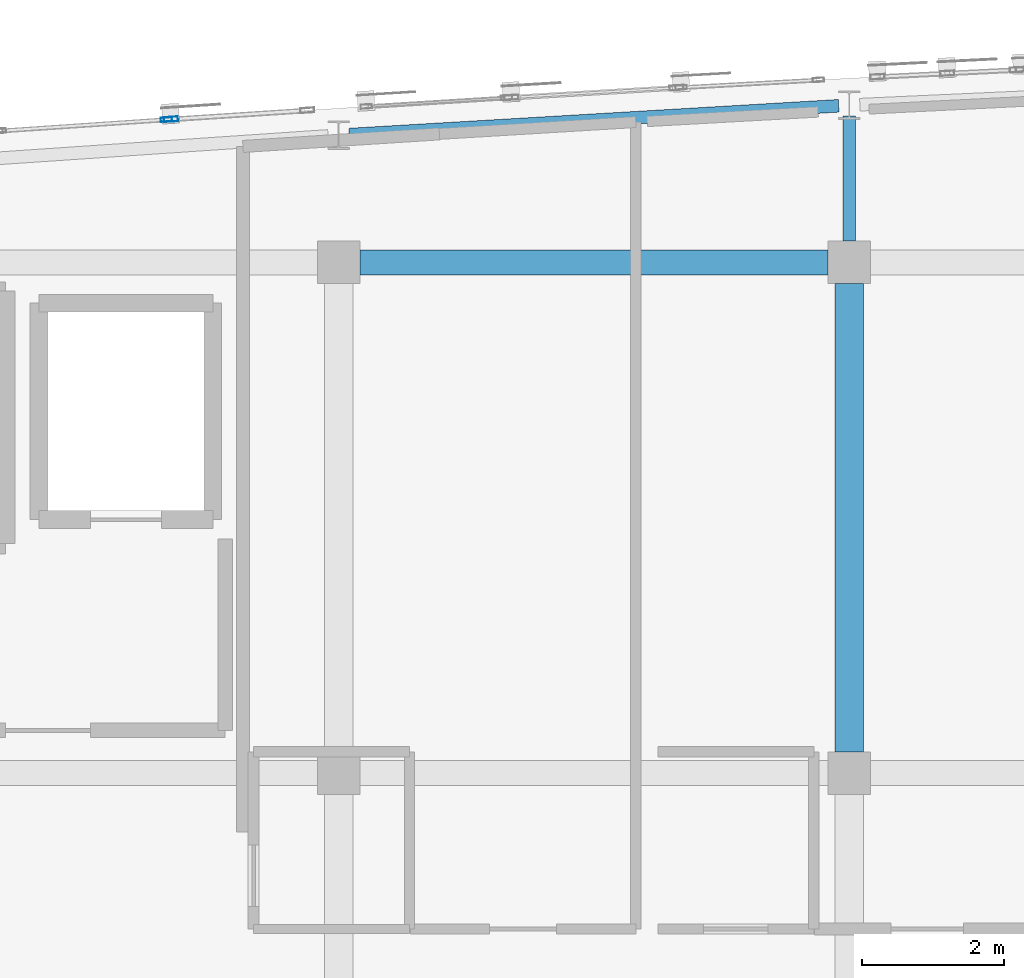
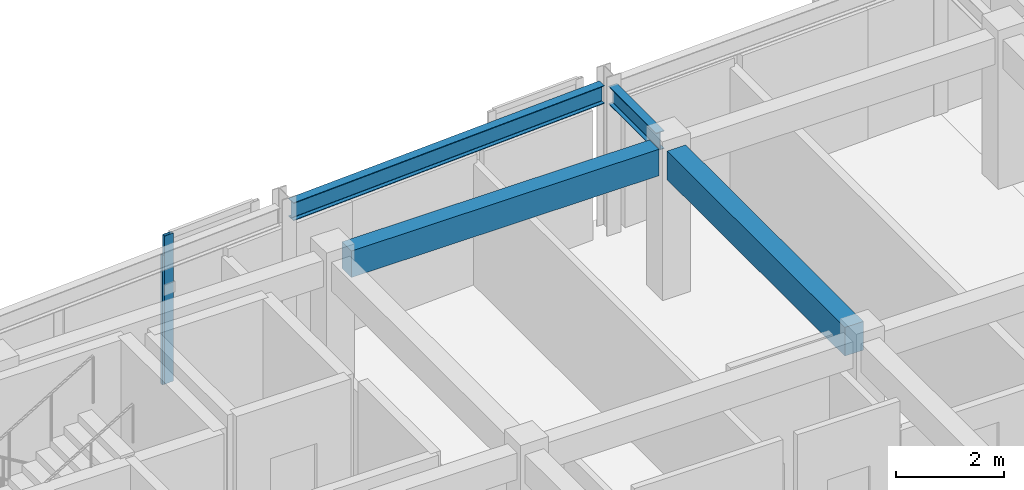
# One storey, part 11 of 51: 4 beams, 2 members, 2 elements without a shape of their own.
"""IFC4 building model written with IfcOpenShell, lengths in metres."""

import ifcopenshell
import ifcopenshell.guid

model = None  # the IFC model being written
_history = None  # IfcOwnerHistory: only IFC2X3 demands one
_inside = {}  # id of a spatial element -> (the spatial element, [elements in it])
_under = {}  # id of a project, library or spatial element -> (it, [spatial elements below it])
_declared = {}  # id of a project -> (the project, [libraries it declares])
_typed = {}  # id of a type object -> (the type object, [elements of that type])
_made_of = {}  # id of a material, layer set ... -> (it, [elements and type objects made of it])


def new_model(schema):
    """Start an empty IFC model of exactly this schema.

    Asked for "IFC4X3", IfcOpenShell would pick the latest addendum, in which some entities
    have other attributes; the version numbers below select the first issue.
    IFC2X3 requires an IfcOwnerHistory on every rooted entity: one is made here for all.
    """
    global model, _history
    if schema == "IFC4X3":
        model = ifcopenshell.file(schema_version=(4, 3, 0, 0))
    else:
        model = ifcopenshell.file(schema=schema)
    _inside.clear()
    _under.clear()
    _declared.clear()
    _typed.clear()
    _made_of.clear()
    _history = None
    if model.schema == "IFC2X3":
        org = make("IfcOrganization", Name="unknown")
        user = make(
            "IfcPersonAndOrganization",
            ThePerson=make("IfcPerson", FamilyName="unknown"),
            TheOrganization=org,
        )
        app = make(
            "IfcApplication",
            ApplicationDeveloper=org,
            Version="unknown",
            ApplicationFullName="unknown",
            ApplicationIdentifier="unknown",
        )
        _history = make(
            "IfcOwnerHistory",
            OwningUser=user,
            OwningApplication=app,
            ChangeAction="ADDED",
            CreationDate=0,
        )
    return model


def make(cls, **values):
    """One entity of the class cls with the attributes given. An attribute that is None is left unset."""
    return model.create_entity(
        cls, **{name: value for name, value in values.items() if value is not None}
    )


def rooted(cls, **values):
    """An entity with a GlobalId (a new one), such as an element, a storey or a relation."""
    return make(cls, GlobalId=ifcopenshell.guid.new(), OwnerHistory=_history, **values)


def si_unit(unit_type, name, prefix=None):
    """IfcSIUnit, for example si_unit("LENGTHUNIT", "METRE", prefix="MILLI")."""
    return make("IfcSIUnit", UnitType=unit_type, Prefix=prefix, Name=name)


def assignment(units):
    """IfcUnitAssignment: the units of a project."""
    return None if units is None else make("IfcUnitAssignment", Units=units)


def point(xyz):
    """IfcCartesianPoint."""
    return None if xyz is None else make("IfcCartesianPoint", Coordinates=xyz)


def direction(xyz):
    """IfcDirection."""
    return None if xyz is None else make("IfcDirection", DirectionRatios=xyz)


def frame(location, z_axis=None, x_axis=None):
    """IfcAxis2Placement3D, a coordinate frame: its origin and axes. An axis left out is left unset."""
    return make(
        "IfcAxis2Placement3D",
        Location=point(location),
        Axis=direction(z_axis),
        RefDirection=direction(x_axis),
    )


def frame_2d(location, x_axis=None):
    """IfcAxis2Placement2D, a coordinate frame in the plane: its origin and x axis."""
    return make(
        "IfcAxis2Placement2D", Location=point(location), RefDirection=direction(x_axis)
    )


def origin():
    """The frame at (0, 0, 0) with its axes left unset."""
    return frame((0.0, 0.0, 0.0))


def origin_2d():
    """The frame at (0, 0) in the plane with its x axis left unset."""
    return frame_2d((0.0, 0.0))


def place(relative_to, where):
    """IfcLocalPlacement: puts the frame where relative to a parent placement (None: the world)."""
    return make(
        "IfcLocalPlacement", PlacementRelTo=relative_to, RelativePlacement=where
    )


def context(
    kind, dimensions, precision=None, world=None, true_north=None, identifier=None
):
    """IfcGeometricRepresentationContext, for example the 3D "Model" context."""
    return make(
        "IfcGeometricRepresentationContext",
        ContextIdentifier=identifier,
        ContextType=kind,
        CoordinateSpaceDimension=dimensions,
        Precision=precision,
        WorldCoordinateSystem=world,
        TrueNorth=true_north,
    )


def subcontext(parent, identifier, kind, view, scale=None):
    """IfcGeometricRepresentationSubContext, for example "Body" below "Model"."""
    return make(
        "IfcGeometricRepresentationSubContext",
        ContextIdentifier=identifier,
        ContextType=kind,
        ParentContext=parent,
        TargetScale=scale,
        TargetView=view,
    )


def project(units=None, contexts=None):
    """IfcProject with its units and contexts."""
    return rooted(
        "IfcProject",
        Name="project",
        RepresentationContexts=contexts,
        UnitsInContext=assignment(units),
    )


def spatial(cls, under=None, at=None, **own):
    """A site, building, storey or space (cls), placed at a placement, below another one or the project."""
    s = rooted(cls, ObjectPlacement=at, **own)
    if under is not None:
        _under.setdefault(under.id(), (under, []))[1].append(s)
    return s


def profile(cls, at=None, kind="AREA", **sizes):
    """A parametric profile (cls). Its sizes go by their IFC names, for example OverallWidth=200.0."""
    return make(cls, ProfileType=kind, Position=at, **sizes)


def rectangle(**sizes):
    """IfcRectangleProfileDef."""
    return profile("IfcRectangleProfileDef", **sizes)


def hollow_rectangle(**sizes):
    """IfcRectangleHollowProfileDef."""
    return profile("IfcRectangleHollowProfileDef", **sizes)


def i_section(**sizes):
    """IfcIShapeProfileDef."""
    return profile("IfcIShapeProfileDef", **sizes)


def extrude(swept, where, along, depth):
    """IfcExtrudedAreaSolid: the profile swept, set in the frame where, extruded along a direction by depth."""
    return make(
        "IfcExtrudedAreaSolid",
        SweptArea=swept,
        Position=where,
        ExtrudedDirection=direction(along),
        Depth=depth,
    )


def shape(context_of_items, identifier, shape_type, items):
    """IfcShapeRepresentation: the items that make up one representation, for example the "Body"."""
    return make(
        "IfcShapeRepresentation",
        ContextOfItems=context_of_items,
        RepresentationIdentifier=identifier,
        RepresentationType=shape_type,
        Items=items,
    )


def material(Name=None, Category=None):
    """IfcMaterial."""
    return make("IfcMaterial", Name=Name, Category=Category)


def layer(
    of_material, thickness, ventilated=None, Name=None, Category=None, Priority=None
):
    """IfcMaterialLayer: one layer of a wall or slab, of a material (None: an air gap)."""
    return make(
        "IfcMaterialLayer",
        Material=of_material,
        LayerThickness=thickness,
        IsVentilated=ventilated,
        Name=Name,
        Category=Category,
        Priority=Priority,
    )


def layer_set(layers, Name=None):
    """IfcMaterialLayerSet."""
    return make("IfcMaterialLayerSet", MaterialLayers=layers, LayerSetName=Name)


def material_profile(
    of_material, cross_section, Name=None, Category=None, Priority=None
):
    """IfcMaterialProfile: a cross section and its material."""
    return make(
        "IfcMaterialProfile",
        Name=Name,
        Material=of_material,
        Profile=cross_section,
        Priority=Priority,
        Category=Category,
    )


def profile_set(profiles, Name=None, composite=None):
    """IfcMaterialProfileSet."""
    return make(
        "IfcMaterialProfileSet",
        Name=Name,
        MaterialProfiles=profiles,
        CompositeProfile=composite,
    )


def made_of(thing, what):
    """Note that an element or type object is made of a material, layer set ...; save() writes the relation."""
    if what is not None:
        _made_of.setdefault(what.id(), (what, []))[1].append(thing)
    return thing


def type_object(cls, material=None, **own):
    """A type object (cls), such as IfcWallType, which elements share."""
    return made_of(rooted(cls, **own), material)


def element(
    cls,
    number,
    at=None,
    inside=None,
    cuts=None,
    type_object=None,
    material=None,
    context=None,
    identifier="Body",
    shape_type=None,
    held_by="IfcProductDefinitionShape",
    body=None,
    shapes=None,
    **own,
):
    """One element of the class cls, such as IfcWall. Its Tag is "e" and its number.

    at: its placement. inside: the storey or other place that contains it. cuts: it is an
    opening in that element (IfcRelVoidsElement). A single representation is given by context,
    identifier, shape_type and body (its items); several are given by shapes. held_by: the class
    of the entity that holds the representations. save() writes the other relations.
    """
    e = rooted(cls, Tag="e%d" % number, ObjectPlacement=at, **own)
    if body is not None:
        shapes = [shape(context, identifier, shape_type, body)]
    if shapes is not None:
        e.Representation = make(held_by, Representations=shapes)
    if inside is not None:
        _inside.setdefault(inside.id(), (inside, []))[1].append(e)
    if cuts is not None:
        rooted(
            "IfcRelVoidsElement", RelatingBuildingElement=cuts, RelatedOpeningElement=e
        )
    if type_object is not None:
        _typed.setdefault(type_object.id(), (type_object, []))[1].append(e)
    return made_of(e, material)


def aggregate(whole, parts):
    """IfcRelAggregates: a whole, such as a stair, and the parts it consists of."""
    return rooted("IfcRelAggregates", RelatingObject=whole, RelatedObjects=parts)


def save(model, path):
    """Write the relations noted so far, then the file.

    IfcRelAggregates (storeys below a building ...), IfcRelContainedInSpatialStructure (elements
    in a storey), IfcRelDefinesByType, IfcRelAssociatesMaterial and IfcRelDeclares: one each for
    every whole, place, type object, material and project.
    """
    for whole, parts in _under.values():
        aggregate(whole, parts)
    for where, things in _inside.values():
        rooted(
            "IfcRelContainedInSpatialStructure",
            RelatedElements=things,
            RelatingStructure=where,
        )
    for kind, things in _typed.values():
        rooted("IfcRelDefinesByType", RelatedObjects=things, RelatingType=kind)
    for what, things in _made_of.values():
        rooted("IfcRelAssociatesMaterial", RelatedObjects=things, RelatingMaterial=what)
    for by, libraries in _declared.values():
        rooted("IfcRelDeclares", RelatingContext=by, RelatedDefinitions=libraries)
    model.write(path)


model = new_model("IFC4")

# Units and contexts
model_context = context("Model", 3, precision=1e-05, world=origin(), true_north=direction((0.0, 1.0)))
body_context = subcontext(model_context, "Body", "Model", "MODEL_VIEW")
ifc_project = project(units=[si_unit("LENGTHUNIT", "METRE"), si_unit("AREAUNIT", "SQUARE_METRE"), si_unit("VOLUMEUNIT", "CUBIC_METRE"), si_unit("PLANEANGLEUNIT", "RADIAN"), si_unit("MASSUNIT", "GRAM", prefix="KILO")], contexts=[model_context])

# Site, building, storey
site_placement = place(None, origin())
site = spatial("IfcSite", under=ifc_project, at=site_placement, CompositionType="ELEMENT")
building_placement = place(site_placement, origin())
building = spatial("IfcBuilding", under=site, at=building_placement, Name="Carrowvane Square Congress Hotel", CompositionType="ELEMENT")
storey_placement = place(building_placement, frame((0.0, 0.0, 30.0)))
storey = spatial("IfcBuildingStorey", under=building, at=storey_placement, Name="L07", CompositionType="ELEMENT", Elevation=30.0)

# Beams
ifc_material_1 = material(Name="Concrete C35/45", Category="concrete")
ifc_material_profile_1 = material_profile(ifc_material_1, rectangle(XDim=0.35009765625, YDim=0.60009765625, at=origin_2d()), Name="RC 350x600")
ifc_profile_set_1 = profile_set([ifc_material_profile_1], Name="Concrete C35/45")
beam_type_1 = type_object("IfcBeamType", Name="BM-RC-350x600", PredefinedType="BEAM", material=ifc_profile_set_1)
beam_1_placement = place(storey_placement, frame((69.5, 113.39990234375, 3.06005859375), z_axis=(1.0, 0.0, 0.0), x_axis=(0.0, 1.0, 0.0)))
element("IfcBeam", 1, at=beam_1_placement, inside=storey, type_object=beam_type_1, Name="L08 girder R/9-10", PredefinedType="BEAM", context=body_context, shape_type="SweptSolid", body=[
    extrude(rectangle(XDim=0.35009765625, YDim=0.60009765625, at=origin_2d()), origin(), (0.0, 0.0, 1.0), 6.60009765625),
])
ifc_material_2 = material(Name="Concrete C35/45", Category="concrete")
ifc_material_profile_2 = material_profile(ifc_material_2, rectangle(XDim=0.39990234375, YDim=0.64990234375, at=origin_2d()), Name="RC 400x650")
ifc_profile_set_2 = profile_set([ifc_material_profile_2], Name="Concrete C35/45")
beam_type_2 = type_object("IfcBeamType", Name="BM-RC-400x650", PredefinedType="BEAM", material=ifc_profile_set_2)
beam_2_placement = place(storey_placement, frame((76.39990234375, 106.5, 3.034912109375), z_axis=(0.0, 1.0, 0.0), x_axis=(-1.0, 0.0, 0.0)))
element("IfcBeam", 2, at=beam_2_placement, inside=storey, type_object=beam_type_2, Name="L08 girder 10/Q-R", PredefinedType="BEAM", context=body_context, shape_type="SweptSolid", body=[
    extrude(rectangle(XDim=0.39990234375, YDim=0.64990234375, at=origin_2d()), origin(), (0.0, 0.0, 1.0), 6.60009765625),
])
ifc_material_3 = material(Name="Steel S355", Category="steel")
ifc_material_profile_3 = material_profile(ifc_material_3, i_section(OverallWidth=0.1787109375, OverallDepth=0.409423828125, WebThickness=0.0087890625, FlangeThickness=0.014404296875, FilletRadius=0.01025390625, at=origin_2d()), Name="UKB 406x178x67")
ifc_profile_set_3 = profile_set([ifc_material_profile_3], Name="Steel S355")
beam_type_3 = type_object("IfcBeamType", Name="BM-ST-UKB406", PredefinedType="BEAM", material=ifc_profile_set_3)
beam_3_placement = place(storey_placement, frame((69.349853515625, 115.203125, 3.1552734375), z_axis=(0.99827559088, 0.058701317296, 0.0), x_axis=(-0.058701317296, 0.99827559088, 0.0)))
element("IfcBeam", 3, at=beam_3_placement, inside=storey, type_object=beam_type_3, Name="L08 curved north spandrel", PredefinedType="BEAM", context=body_context, shape_type="SweptSolid", body=[
    extrude(i_section(OverallWidth=0.1787109375, OverallDepth=0.409423828125, WebThickness=0.0087890625, FlangeThickness=0.014404296875, FilletRadius=0.01025390625, at=origin_2d()), origin(), (0.0, 0.0, 1.0), 6.912353515625),
])
beam_4_placement = place(storey_placement, frame((76.39990234375, 113.699951171875, 3.1552734375), z_axis=(0.0, 1.0, 0.0), x_axis=(-1.0, 0.0, 0.0)))
element("IfcBeam", 4, at=beam_4_placement, inside=storey, type_object=beam_type_3, Name="L08 radial north beam 10", PredefinedType="BEAM", context=body_context, shape_type="SweptSolid", body=[
    extrude(i_section(OverallWidth=0.1787109375, OverallDepth=0.409423828125, WebThickness=0.0087890625, FlangeThickness=0.014404296875, FilletRadius=0.01025390625, at=origin_2d()), origin(), (0.0, 0.0, 1.0), 1.767578125),
])

# Curtain wall, member
ifc_material_4 = material(Name="Anodised aluminium", Category="aluminium")
ifc_layer_1 = layer(ifc_material_4, 0.18603515625)
ifc_layer_set_1 = layer_set([ifc_layer_1], Name="Anodised aluminium")
curtain_wall_type_1 = type_object("IfcCurtainWallType", Name="CW-SYS-3", PredefinedType="NOTDEFINED", material=ifc_layer_set_1)
curtain_wall_1_placement = place(storey_placement, origin())
curtain_wall_1 = element("IfcCurtainWall", 5, at=curtain_wall_1_placement, inside=storey, type_object=curtain_wall_type_1, Name="L07 unitised curtain wall 418", PredefinedType="NOTDEFINED")
ifc_material_5 = material(Name="Anodised aluminium", Category="aluminium")
ifc_material_profile_4 = material_profile(ifc_material_5, hollow_rectangle(XDim=0.06005859375, YDim=0.159912109375, WallThickness=0.00390625, at=origin_2d()), Name="CW-ML 60x160x4")
ifc_profile_set_4 = profile_set([ifc_material_profile_4], Name="Anodised aluminium")
member_type_1 = type_object("IfcMemberType", Name="CW-MUL-1", PredefinedType="MULLION", material=ifc_profile_set_4)
member_1_placement = place(storey_placement, frame((66.77001953125, 115.4150390625, 0.0), z_axis=(0.0, 0.0, 1.0), x_axis=(-0.067865424104, 0.997694484404, 0.0)))
member_1 = element("IfcMember", 6, at=member_1_placement, type_object=member_type_1, Name="CW-3 mullion 2", PredefinedType="MULLION", context=body_context, shape_type="SweptSolid", body=[
    extrude(hollow_rectangle(XDim=0.06005859375, YDim=0.159912109375, WallThickness=0.00390625, at=origin_2d()), origin(), (0.0, 0.0, 1.0), 2.935546875),
])
aggregate(curtain_wall_1, [member_1])

ifc_material_6 = material(Name="Anodised aluminium", Category="aluminium")
ifc_layer_2 = layer(ifc_material_6, 0.197998046875)
ifc_layer_set_2 = layer_set([ifc_layer_2], Name="Anodised aluminium")
curtain_wall_type_2 = type_object("IfcCurtainWallType", Name="CW-SYS-4", PredefinedType="NOTDEFINED", material=ifc_layer_set_2)
curtain_wall_2_placement = place(storey_placement, origin())
curtain_wall_2 = element("IfcCurtainWall", 7, at=curtain_wall_2_placement, inside=storey, type_object=curtain_wall_type_2, Name="L07 unitised curtain wall 419", PredefinedType="NOTDEFINED")
ifc_material_7 = material(Name="Anodised aluminium", Category="aluminium")
ifc_material_profile_5 = material_profile(ifc_material_7, hollow_rectangle(XDim=0.070068359375, YDim=0.199951171875, WallThickness=0.0048828125, at=origin_2d()), Name="CW-ML 70x200x5")
ifc_profile_set_5 = profile_set([ifc_material_profile_5], Name="Anodised aluminium")
member_type_2 = type_object("IfcMemberType", Name="CW-MUL-2", PredefinedType="MULLION", material=ifc_profile_set_5)
member_2_placement = place(storey_placement, frame((66.8349609375, 115.419189453125, 0.0), z_axis=(0.0, 0.0, 1.0), x_axis=(-0.065412223074, 0.997858327155, 0.0)))
member_2 = element("IfcMember", 8, at=member_2_placement, type_object=member_type_2, Name="CW-4 mullion 1", PredefinedType="MULLION", context=body_context, shape_type="SweptSolid", body=[
    extrude(hollow_rectangle(XDim=0.070068359375, YDim=0.199951171875, WallThickness=0.0048828125, at=origin_2d()), origin(), (0.0, 0.0, 1.0), 3.360107421875),
])
aggregate(curtain_wall_2, [member_2])

save(model, "model.ifc")
